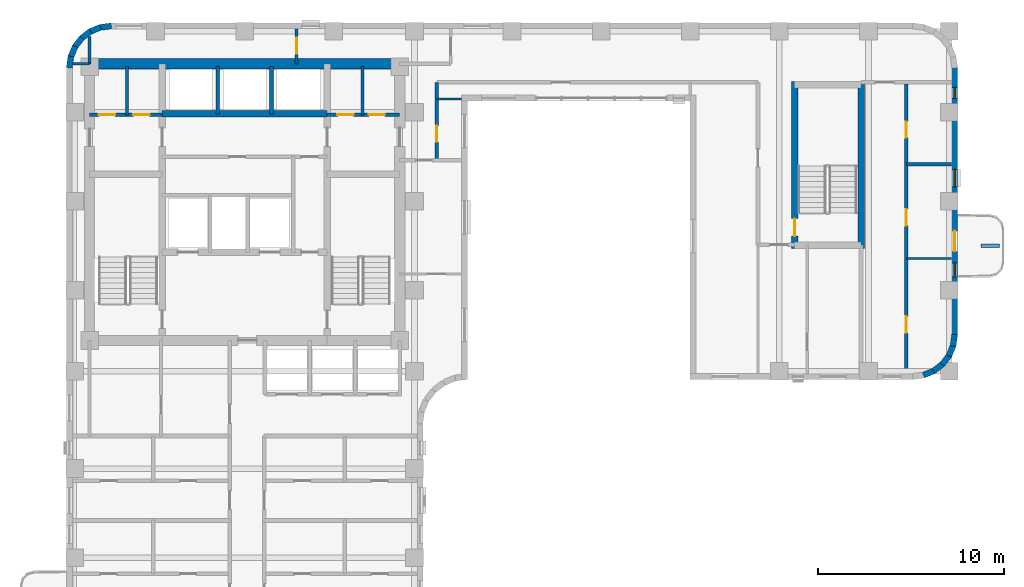
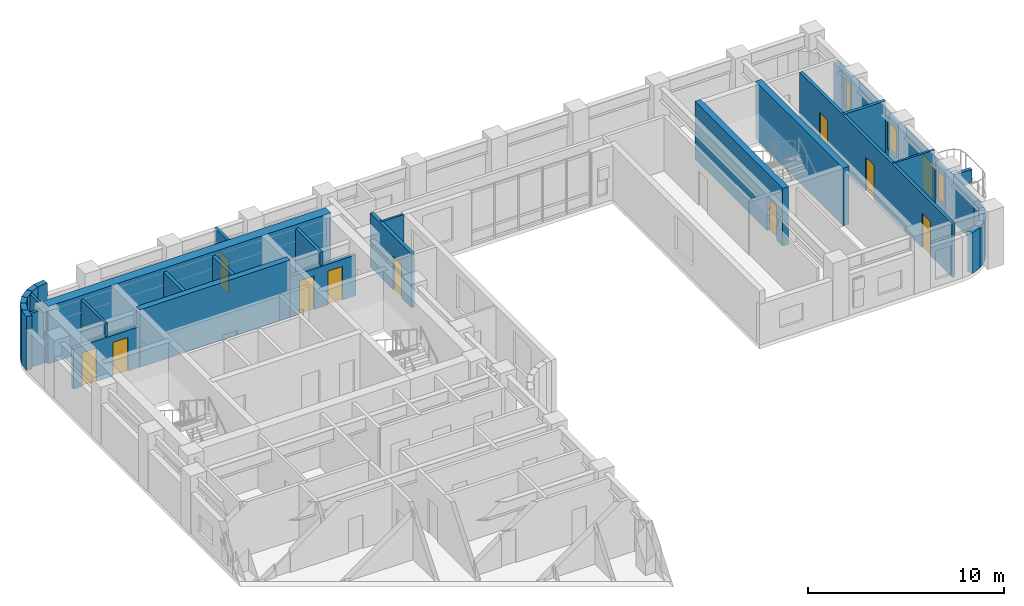
# One storey, part 7 of 11: 31 walls, 11 doors, 3 windows, 14 openings.
"""IFC4 building model written with IfcOpenShell, lengths in metres."""

from ifc_helpers import new_model, si_unit, direction, frame, frame_2d, origin, place, context, subcontext, project, spatial, rectangle, extrude, material, layer, layer_set, type_object, element, fill, save


model = new_model("IFC4")

# Units and contexts
model_context = context("Model", 3, precision=1e-05, world=origin(), true_north=direction((0.0, 1.0)))
body_context = subcontext(model_context, "Body", "Model", "MODEL_VIEW")
ifc_project = project(units=[si_unit("LENGTHUNIT", "METRE"), si_unit("AREAUNIT", "SQUARE_METRE"), si_unit("VOLUMEUNIT", "CUBIC_METRE"), si_unit("PLANEANGLEUNIT", "RADIAN"), si_unit("MASSUNIT", "GRAM", prefix="KILO")], contexts=[model_context])

# Site, building, storey
site_placement = place(None, origin())
site = spatial("IfcSite", under=ifc_project, at=site_placement, CompositionType="ELEMENT")
building_placement = place(site_placement, origin())
building = spatial("IfcBuilding", under=site, at=building_placement, Name="Orvandelia Arch Residences", CompositionType="ELEMENT")
storey_placement = place(building_placement, frame((0.0, 0.0, 164.800048828125)))
storey = spatial("IfcBuildingStorey", under=building, at=storey_placement, Name="L43", CompositionType="ELEMENT", Elevation=164.800048828125)

# Wall
ifc_material_1 = material(Name="Concrete C50/60", Category="concrete")
ifc_layer_1 = layer(ifc_material_1, 0.35009765625, Name="Concrete C50/60", Category="concrete")
ifc_layer_set_1 = layer_set([ifc_layer_1], Name="Concrete C50/60")
wall_type_1 = type_object("IfcWallType", Name="WL-CORE-350", PredefinedType="SHEAR", material=ifc_layer_set_1)
wall_1_placement = place(storey_placement, frame((9.9599609375, 43.10009765625, 0.0), z_axis=(0.0, 0.0, 1.0), x_axis=(1.0, 0.0, 0.0)))
element("IfcWall", 1, at=wall_1_placement, inside=storey, type_object=wall_type_1, Name="Core Shear Wall L43-HZ4", PredefinedType="SHEAR", context=body_context, shape_type="SweptSolid", body=[
    extrude(rectangle(XDim=8.880126953125, YDim=0.35009765625, at=frame_2d((4.43994140625, 0.0))), origin(), (0.0, 0.0, 1.0), 3.599853515625),
])

# Wall, opening, door
wall_2_placement = place(storey_placement, frame((44.02001953125, 35.864990234375, 0.0), z_axis=(0.0, 0.0, 1.0), x_axis=(0.0, 1.0, 0.0)))
wall_2 = element("IfcWall", 2, at=wall_2_placement, inside=storey, type_object=wall_type_1, Name="East Stair Core Shear Wall L43-W", PredefinedType="SHEAR", context=body_context, shape_type="SweptSolid", body=[
    extrude(rectangle(XDim=8.969970703125, YDim=0.35009765625, at=frame_2d((4.48486328125, 0.0))), origin(), (0.0, 0.0, 1.0), 3.599853515625),
])
opening_1_placement = place(wall_2_placement, frame((0.64990234375, 0.0, 0.0)))
opening_1 = element("IfcOpeningElement", 3, at=opening_1_placement, cuts=wall_2, Name="Opening D7", PredefinedType="OPENING", context=body_context, shape_type="SweptSolid", body=[
    extrude(rectangle(XDim=0.949951171875, YDim=2.10009765625, at=frame_2d((0.47509765625, 1.050048828125))), frame((0.0, 0.18505859375, 0.0), z_axis=(0.0, -1.0, 0.0), x_axis=(1.0, 0.0, 0.0)), (0.0, 0.0, 1.0), 0.3701171875),
])
ifc_material_2 = material(Name="Pressurised Stairwell Fire Door")
door_type_1 = type_object("IfcDoorType", Name="DR-STAIR-950", OperationType="NOTDEFINED", PredefinedType="DOOR", material=ifc_material_2)
door_1_placement = place(opening_1_placement, origin())
door_1 = element("IfcDoor", 4, at=door_1_placement, inside=storey, type_object=door_type_1, Name="East Stairwell ST-3 Fire Door L43", OperationType="SINGLE_SWING_LEFT", OverallHeight=2.10009765625, OverallWidth=0.949951171875, PredefinedType="DOOR", context=body_context, shape_type="SweptSolid", body=[
    extrude(rectangle(XDim=0.949951171875, YDim=2.10009765625, at=frame_2d((0.47509765625, 1.050048828125))), frame((0.0, 0.02490234375, 0.0), z_axis=(0.0, -1.0, 0.0), x_axis=(1.0, 0.0, 0.0)), (0.0, 0.0, 1.0), 0.050048828125),
])
fill(opening_1, door_1)

# Walls
wall_3_placement = place(storey_placement, frame((47.60009765625, 35.864990234375, 0.0), z_axis=(0.0, 0.0, 1.0), x_axis=(0.0, 1.0, 0.0)))
element("IfcWall", 5, at=wall_3_placement, inside=storey, type_object=wall_type_1, Name="East Stair Core Shear Wall L43-E", PredefinedType="SHEAR", context=body_context, shape_type="SweptSolid", body=[
    extrude(rectangle(XDim=8.969970703125, YDim=0.35009765625, at=frame_2d((4.48486328125, 0.0))), origin(), (0.0, 0.0, 1.0), 3.599853515625),
])
ifc_material_3 = material(Name="Concrete C60/75", Category="concrete")
ifc_layer_2 = layer(ifc_material_3, 0.550048828125, Name="Concrete C60/75", Category="concrete")
ifc_layer_set_2 = layer_set([ifc_layer_2], Name="Concrete C60/75")
wall_type_2 = type_object("IfcWallType", Name="WL-CORE-550", PredefinedType="SHEAR", material=ifc_layer_set_2)
wall_4_placement = place(storey_placement, frame((6.050048828125, 45.800048828125, 0.0), z_axis=(0.0, 0.0, 1.0), x_axis=(1.0, 0.0, 0.0)))
element("IfcWall", 6, at=wall_4_placement, inside=storey, type_object=wall_type_2, Name="Core Shear Wall L43-N", PredefinedType="SHEAR", context=body_context, shape_type="SweptSolid", body=[
    extrude(rectangle(XDim=16.699951171875, YDim=0.550048828125, at=frame_2d((8.35009765625, 0.0))), origin(), (0.0, 0.0, 1.0), 3.599853515625),
])

# Wall, opening, door
ifc_material_4 = material(Name="Fire-Rated Corridor Partition")
ifc_layer_3 = layer(ifc_material_4, 0.199951171875, Name="Fire-Rated Corridor Partition")
ifc_layer_set_3 = layer_set([ifc_layer_3], Name="Fire-Rated Corridor Partition")
wall_type_3 = type_object("IfcWallType", Name="WL-CORR-200", PredefinedType="PARTITIONING", material=ifc_layer_set_3)
wall_5_placement = place(storey_placement, frame((24.75, 40.60009765625, 0.0), z_axis=(0.0, 0.0, 1.0), x_axis=(0.0, 1.0, 0.0)))
wall_5 = element("IfcWall", 7, at=wall_5_placement, inside=storey, type_object=wall_type_3, Name="Interior Partition Wall WL-L43-ENP-LW", PredefinedType="PARTITIONING", context=body_context, shape_type="SweptSolid", body=[
    extrude(rectangle(XDim=4.199951171875, YDim=0.199951171875, at=frame_2d((2.10009765625, 0.0))), origin(), (0.0, 0.0, 1.0), 3.35986328125),
])
opening_2_placement = place(wall_5_placement, frame((1.0, 0.0, 0.0)))
opening_2 = element("IfcOpeningElement", 8, at=opening_2_placement, cuts=wall_5, Name="Opening D4", PredefinedType="OPENING", context=body_context, shape_type="SweptSolid", body=[
    extrude(rectangle(XDim=0.860107421875, YDim=2.10009765625, at=frame_2d((0.43017578125, 1.050048828125))), frame((0.0, 0.10986328125, 0.0), z_axis=(0.0, -1.0, 0.0), x_axis=(1.0, 0.0, 0.0)), (0.0, 0.0, 1.0), 0.219970703125),
])
ifc_material_5 = material(Name="Moisture-Sealed Timber Bathroom Door", Category="wood")
door_type_2 = type_object("IfcDoorType", Name="DR-WET-900", OperationType="NOTDEFINED", PredefinedType="DOOR", material=ifc_material_5)
door_2_placement = place(opening_2_placement, origin())
door_2 = element("IfcDoor", 9, at=door_2_placement, inside=storey, type_object=door_type_2, Name="DR-L43-VPWNK", OperationType="SINGLE_SWING_RIGHT", OverallHeight=2.10009765625, OverallWidth=0.860107421875, PredefinedType="DOOR", context=body_context, shape_type="SweptSolid", body=[
    extrude(rectangle(XDim=0.860107421875, YDim=2.10009765625, at=frame_2d((0.43017578125, 1.050048828125))), frame((0.0, 0.02490234375, 0.0), z_axis=(0.0, -1.0, 0.0), x_axis=(1.0, 0.0, 0.0)), (0.0, 0.0, 1.0), 0.050048828125),
])
fill(opening_2, door_2)

# Walls
ifc_material_6 = material(Name="Precast concrete C40/50", Category="concrete")
ifc_layer_4 = layer(ifc_material_6, 0.320068359375, Name="Precast concrete C40/50", Category="concrete")
ifc_layer_set_4 = layer_set([ifc_layer_4], Name="Precast concrete C40/50")
wall_type_4 = type_object("IfcWallType", Name="WL-EXT-STONE-320", PredefinedType="STANDARD", material=ifc_layer_set_4)
for number, where, z_axis, x_axis, name in (
    (10, (4.95849609375, 45.5791015625, 0.0), (0.0, 0.0, 1.0), (0.130555323746, 0.9914410257, 0.0), "Coral-Limestone Precast Facade Wall L43-001"),
    (11, (5.029541015625, 46.159912109375, 0.0), (0.0, 0.0, 1.0), (0.382650053678, 0.92389335771, 0.0), "Coral-Limestone Precast Facade Wall L43-002"),
):
    element("IfcWall", number, at=place(storey_placement, frame(where, z_axis=z_axis, x_axis=x_axis)), inside=storey, type_object=wall_type_4, Name=name, PredefinedType="STANDARD", context=body_context, shape_type="SweptSolid", body=[
        extrude(rectangle(XDim=0.62646484375, YDim=0.320068359375, at=frame_2d((0.313232421875, 0.0))), origin(), (0.0, 0.0, 1.0), 3.35986328125),
    ])
wall_6_placement = place(storey_placement, frame((5.248291015625, 46.70263671875, 0.0), z_axis=(0.0, 0.0, 1.0), x_axis=(0.608938521285, 0.7932174212, 0.0)))
element("IfcWall", 12, at=wall_6_placement, inside=storey, type_object=wall_type_4, Name="Coral-Limestone Precast Facade Wall L43-003", PredefinedType="STANDARD", context=body_context, shape_type="SweptSolid", body=[
    extrude(rectangle(XDim=0.626708984375, YDim=0.320068359375, at=frame_2d((0.3134765625, 0.0))), origin(), (0.0, 0.0, 1.0), 3.35986328125),
])
wall_7_placement = place(storey_placement, frame((5.600341796875, 47.170166015625, 0.0), z_axis=(0.0, 0.0, 1.0), x_axis=(0.793405610854, 0.608693302629, 0.0)))
element("IfcWall", 13, at=wall_7_placement, inside=storey, type_object=wall_type_4, Name="Coral-Limestone Precast Facade Wall L43-004", PredefinedType="STANDARD", context=body_context, shape_type="SweptSolid", body=[
    extrude(rectangle(XDim=0.62646484375, YDim=0.320068359375, at=frame_2d((0.313232421875, 0.0))), origin(), (0.0, 0.0, 1.0), 3.35986328125),
])
wall_8_placement = place(storey_placement, frame((6.061279296875, 47.53076171875, 0.0), z_axis=(0.0, 0.0, 1.0), x_axis=(0.923836271867, 0.382787856107, 0.0)))
element("IfcWall", 14, at=wall_8_placement, inside=storey, type_object=wall_type_4, Name="Coral-Limestone Precast Facade Wall L43-005", PredefinedType="STANDARD", context=body_context, shape_type="SweptSolid", body=[
    extrude(rectangle(XDim=0.626220703125, YDim=0.320068359375, at=frame_2d((0.31298828125, 0.0))), origin(), (0.0, 0.0, 1.0), 3.35986328125),
])
wall_9_placement = place(storey_placement, frame((6.599609375, 47.759521484375, 0.0), z_axis=(0.0, 0.0, 1.0), x_axis=(0.991447664465, 0.130504898859, 0.0)))
element("IfcWall", 15, at=wall_9_placement, inside=storey, type_object=wall_type_4, Name="Coral-Limestone Precast Facade Wall L43-006", PredefinedType="STANDARD", context=body_context, shape_type="SweptSolid", body=[
    extrude(rectangle(XDim=0.626708984375, YDim=0.320068359375, at=frame_2d((0.3134765625, 0.0))), origin(), (0.0, 0.0, 1.0), 3.35986328125),
])

# Wall, openings, door, windows
wall_10_placement = place(storey_placement, frame((52.639892578125, 45.60009765625, 0.0), z_axis=(0.0, 0.0, 1.0), x_axis=(0.0, -1.0, 0.0)))
wall_10 = element("IfcWall", 16, at=wall_10_placement, inside=storey, type_object=wall_type_4, Name="Coral-Limestone Precast Facade Wall L43-014", PredefinedType="STANDARD", context=body_context, shape_type="SweptSolid", body=[
    extrude(rectangle(XDim=14.400146484375, YDim=0.320068359375, at=frame_2d((7.2001953125, 0.0))), origin(), (0.0, 0.0, 1.0), 2.5400390625),
])
opening_3_placement = place(wall_10_placement, frame((8.800048828125, 0.0, 0.0)))
opening_3 = element("IfcOpeningElement", 17, at=opening_3_placement, cuts=wall_10, Name="Opening BD1", PredefinedType="OPENING", context=body_context, shape_type="SweptSolid", body=[
    extrude(rectangle(XDim=1.10009765625, YDim=2.14990234375, at=frame_2d((0.550048828125, 1.074951171875))), frame((0.0, 0.169921875, 0.0), z_axis=(0.0, -1.0, 0.0), x_axis=(1.0, 0.0, 0.0)), (0.0, 0.0, 1.0), 0.340087890625),
])
opening_4_placement = place(wall_10_placement, frame((10.51953125, 0.0, 0.449951171875)))
opening_4 = element("IfcOpeningElement", 18, at=opening_4_placement, cuts=wall_10, Name="Opening W11", PredefinedType="OPENING", context=body_context, shape_type="SweptSolid", body=[
    extrude(rectangle(XDim=0.75, YDim=1.800048828125, at=frame_2d((0.375, 0.89990234375))), frame((0.0, 0.169921875, 0.0), z_axis=(0.0, -1.0, 0.0), x_axis=(1.0, 0.0, 0.0)), (0.0, 0.0, 1.0), 0.340087890625),
])
opening_5_placement = place(wall_10_placement, frame((1.0625, 0.0, 0.449951171875)))
opening_5 = element("IfcOpeningElement", 19, at=opening_5_placement, cuts=wall_10, Name="Opening W12", PredefinedType="OPENING", context=body_context, shape_type="SweptSolid", body=[
    extrude(rectangle(XDim=0.60009765625, YDim=1.800048828125, at=frame_2d((0.300048828125, 0.89990234375))), frame((0.0, 0.169921875, 0.0), z_axis=(0.0, -1.0, 0.0), x_axis=(1.0, 0.0, 0.0)), (0.0, 0.0, 1.0), 0.340087890625),
])
opening_6_placement = place(wall_10_placement, frame((5.486083984375, 0.0, 0.449951171875)))
opening_6 = element("IfcOpeningElement", 20, at=opening_6_placement, cuts=wall_10, Name="Opening W4", PredefinedType="OPENING", context=body_context, shape_type="SweptSolid", body=[
    extrude(rectangle(XDim=0.949951171875, YDim=1.800048828125, at=frame_2d((0.47509765625, 0.89990234375))), frame((0.0, 0.169921875, 0.0), z_axis=(0.0, -1.0, 0.0), x_axis=(1.0, 0.0, 0.0)), (0.0, 0.0, 1.0), 0.340087890625),
])
ifc_material_7 = material(Name="Thermally Broken Aluminium Glazed Door", Category="aluminium")
door_type_3 = type_object("IfcDoorType", Name="DR-BAL-GLAZ-1100", OperationType="NOTDEFINED", PredefinedType="DOOR", material=ifc_material_7)
door_3_placement = place(opening_3_placement, origin())
door_3 = element("IfcDoor", 21, at=door_3_placement, inside=storey, type_object=door_type_3, Name="Tree Balcony Glazed Door BAL-L43-E1", OperationType="SINGLE_SWING_LEFT", OverallHeight=2.14990234375, OverallWidth=1.10009765625, PredefinedType="DOOR", context=body_context, shape_type="SweptSolid", body=[
    extrude(rectangle(XDim=1.10009765625, YDim=2.14990234375, at=frame_2d((0.550048828125, 1.074951171875))), frame((0.0, 0.02490234375, 0.0), z_axis=(0.0, -1.0, 0.0), x_axis=(1.0, 0.0, 0.0)), (0.0, 0.0, 1.0), 0.050048828125),
])
fill(opening_3, door_3)
ifc_material_8 = material(Name="Tempered Low-E Insulated Glazing", Category="glass")
window_type_1 = type_object("IfcWindowType", Name="WIN-BED-0750x1800", PartitioningType="SINGLE_PANEL", PredefinedType="WINDOW", material=ifc_material_8)
window_1_placement = place(opening_4_placement, origin())
window_1 = element("IfcWindow", 22, at=window_1_placement, inside=storey, type_object=window_type_1, Name="Recessed Punched Window L43-004", OverallHeight=1.800048828125, OverallWidth=0.75, PartitioningType="SINGLE_PANEL", PredefinedType="WINDOW", context=body_context, shape_type="SweptSolid", body=[
    extrude(rectangle(XDim=0.75, YDim=1.800048828125, at=frame_2d((0.375, 0.89990234375))), frame((0.0, 0.030029296875, 0.0), z_axis=(0.0, -1.0, 0.0), x_axis=(1.0, 0.0, 0.0)), (0.0, 0.0, 1.0), 0.06005859375),
])
fill(opening_4, window_1)
window_type_2 = type_object("IfcWindowType", Name="WIN-LAN-0600x1800", PartitioningType="SINGLE_PANEL", PredefinedType="WINDOW", material=ifc_material_8)
window_2_placement = place(opening_5_placement, origin())
window_2 = element("IfcWindow", 23, at=window_2_placement, inside=storey, type_object=window_type_2, Name="Recessed Punched Window L43-005", OverallHeight=1.800048828125, OverallWidth=0.60009765625, PartitioningType="SINGLE_PANEL", PredefinedType="WINDOW", context=body_context, shape_type="SweptSolid", body=[
    extrude(rectangle(XDim=0.60009765625, YDim=1.800048828125, at=frame_2d((0.300048828125, 0.89990234375))), frame((0.0, 0.030029296875, 0.0), z_axis=(0.0, -1.0, 0.0), x_axis=(1.0, 0.0, 0.0)), (0.0, 0.0, 1.0), 0.06005859375),
])
fill(opening_5, window_2)
window_type_3 = type_object("IfcWindowType", Name="WIN-RES-0950x1800", PartitioningType="SINGLE_PANEL", PredefinedType="WINDOW", material=ifc_material_8)
window_3_placement = place(opening_6_placement, origin())
window_3 = element("IfcWindow", 24, at=window_3_placement, inside=storey, type_object=window_type_3, Name="Recessed Punched Window L43-006", OverallHeight=1.800048828125, OverallWidth=0.949951171875, PartitioningType="SINGLE_PANEL", PredefinedType="WINDOW", context=body_context, shape_type="SweptSolid", body=[
    extrude(rectangle(XDim=0.949951171875, YDim=1.800048828125, at=frame_2d((0.47509765625, 0.89990234375))), frame((0.0, 0.030029296875, 0.0), z_axis=(0.0, -1.0, 0.0), x_axis=(1.0, 0.0, 0.0)), (0.0, 0.0, 1.0), 0.06005859375),
])
fill(opening_6, window_3)

# Walls
wall_11_placement = place(storey_placement, frame((52.641357421875, 31.220947265625, 0.0), z_axis=(0.0, 0.0, 1.0), x_axis=(-0.130504898859, -0.991447664465, 0.0)))
element("IfcWall", 25, at=wall_11_placement, inside=storey, type_object=wall_type_4, Name="Coral-Limestone Precast Facade Wall L43-015", PredefinedType="STANDARD", context=body_context, shape_type="SweptSolid", body=[
    extrude(rectangle(XDim=0.626708984375, YDim=0.320068359375, at=frame_2d((0.3134765625, 0.0))), origin(), (0.0, 0.0, 1.0), 2.5400390625),
])
wall_12_placement = place(storey_placement, frame((52.5703125, 30.639892578125, 0.0), z_axis=(0.0, 0.0, 1.0), x_axis=(-0.382455093999, -0.923974080304, 0.0)))
element("IfcWall", 26, at=wall_12_placement, inside=storey, type_object=wall_type_4, Name="Coral-Limestone Precast Facade Wall L43-016", PredefinedType="STANDARD", context=body_context, shape_type="SweptSolid", body=[
    extrude(rectangle(XDim=0.626220703125, YDim=0.320068359375, at=frame_2d((0.31298828125, 0.0))), origin(), (0.0, 0.0, 1.0), 2.5400390625),
])
wall_13_placement = place(storey_placement, frame((52.3515625, 30.097412109375, 0.0), z_axis=(0.0, 0.0, 1.0), x_axis=(-0.608693302629, -0.793405610854, 0.0)))
element("IfcWall", 27, at=wall_13_placement, inside=storey, type_object=wall_type_4, Name="Coral-Limestone Precast Facade Wall L43-017", PredefinedType="STANDARD", context=body_context, shape_type="SweptSolid", body=[
    extrude(rectangle(XDim=0.62646484375, YDim=0.320068359375, at=frame_2d((0.313232421875, 0.0))), origin(), (0.0, 0.0, 1.0), 2.5400390625),
])
wall_14_placement = place(storey_placement, frame((51.999755859375, 29.6298828125, 0.0), z_axis=(0.0, 0.0, 1.0), x_axis=(-0.7932174212, -0.608938521285, 0.0)))
element("IfcWall", 28, at=wall_14_placement, inside=storey, type_object=wall_type_4, Name="Coral-Limestone Precast Facade Wall L43-018", PredefinedType="STANDARD", context=body_context, shape_type="SweptSolid", body=[
    extrude(rectangle(XDim=0.626708984375, YDim=0.320068359375, at=frame_2d((0.3134765625, 0.0))), origin(), (0.0, 0.0, 1.0), 2.5400390625),
])
wall_15_placement = place(storey_placement, frame((51.538818359375, 29.269287109375, 0.0), z_axis=(0.0, 0.0, 1.0), x_axis=(-0.92389335771, -0.382650053678, 0.0)))
element("IfcWall", 29, at=wall_15_placement, inside=storey, type_object=wall_type_4, Name="Coral-Limestone Precast Facade Wall L43-019", PredefinedType="STANDARD", context=body_context, shape_type="SweptSolid", body=[
    extrude(rectangle(XDim=0.62646484375, YDim=0.320068359375, at=frame_2d((0.313232421875, 0.0))), origin(), (0.0, 0.0, 1.0), 2.5400390625),
])
ifc_material_9 = material(Name="Lightweight Gypsum Stud Partition")
ifc_layer_5 = layer(ifc_material_9, 0.1201171875, Name="Lightweight Gypsum Stud Partition")
ifc_layer_set_5 = layer_set([ifc_layer_5], Name="Lightweight Gypsum Stud Partition")
wall_type_5 = type_object("IfcWallType", Name="WL-PART-120", PredefinedType="PARTITIONING", material=ifc_layer_set_5)
wall_16_placement = place(storey_placement, frame((24.75, 43.89990234375, 0.0), z_axis=(0.0, 0.0, 1.0), x_axis=(1.0, 0.0, 0.0)))
element("IfcWall", 30, at=wall_16_placement, inside=storey, type_object=wall_type_5, Name="Interior Partition Wall WL-L43-VPWNK-N", PredefinedType="PARTITIONING", context=body_context, shape_type="SweptSolid", body=[
    extrude(rectangle(XDim=1.330078125, YDim=0.1201171875, at=frame_2d((0.6650390625, 0.0))), origin(), (0.0, 0.0, 1.0), 3.35986328125),
])
wall_17_placement = place(storey_placement, frame((50.04296875, 35.31591796875, 0.0), z_axis=(0.0, 0.0, 1.0), x_axis=(1.0, 0.0, 0.0)))
element("IfcWall", 31, at=wall_17_placement, inside=storey, type_object=wall_type_5, Name="Interior Partition Wall WL-L43-U07-H1", PredefinedType="PARTITIONING", context=body_context, shape_type="SweptSolid", body=[
    extrude(rectangle(XDim=2.43701171875, YDim=0.1201171875, at=frame_2d((1.218505859375, 0.0))), origin(), (0.0, 0.0, 1.0), 3.35986328125),
])
ifc_material_10 = material(Name="Acoustic Gypsum Stud Partition")
ifc_layer_6 = layer(ifc_material_10, 0.14990234375, Name="Acoustic Gypsum Stud Partition")
ifc_layer_set_6 = layer_set([ifc_layer_6], Name="Acoustic Gypsum Stud Partition")
wall_type_6 = type_object("IfcWallType", Name="WL-PART-150", PredefinedType="PARTITIONING", material=ifc_layer_set_6)
wall_18_placement = place(storey_placement, frame((8.06005859375, 43.050048828125, 0.0), z_axis=(0.0, 0.0, 1.0), x_axis=(0.0, 1.0, 0.0)))
element("IfcWall", 32, at=wall_18_placement, inside=storey, type_object=wall_type_6, Name="Interior Partition Wall WL-L43-CRELC-M", PredefinedType="PARTITIONING", context=body_context, shape_type="SweptSolid", body=[
    extrude(rectangle(XDim=2.599853515625, YDim=0.14990234375, at=frame_2d((1.2998046875, 0.0))), origin(), (0.0, 0.0, 1.0), 3.35986328125),
])
wall_19_placement = place(storey_placement, frame((5.159912109375, 45.800048828125, 0.0), z_axis=(0.0, 0.0, 1.0), x_axis=(1.0, 0.0, 0.0)))
element("IfcWall", 33, at=wall_19_placement, inside=storey, type_object=wall_type_6, Name="Interior Partition Wall WL-L43-WF-N", PredefinedType="PARTITIONING", context=body_context, shape_type="SweptSolid", body=[
    extrude(rectangle(XDim=0.89013671875, YDim=0.14990234375, at=frame_2d((0.445068359375, 0.0))), origin(), (0.0, 0.0, 1.0), 3.35986328125),
])
wall_20_placement = place(storey_placement, frame((6.050048828125, 45.800048828125, 0.0), z_axis=(0.0, 0.0, 1.0), x_axis=(0.0, 1.0, 0.0)))
element("IfcWall", 34, at=wall_20_placement, inside=storey, type_object=wall_type_6, Name="Interior Partition Wall WL-L43-NC-W6", PredefinedType="PARTITIONING", context=body_context, shape_type="SweptSolid", body=[
    extrude(rectangle(XDim=1.4599609375, YDim=0.14990234375, at=frame_2d((0.72998046875, 0.0))), origin(), (0.0, 0.0, 1.0), 3.35986328125),
])

# Wall, opening, door
wall_21_placement = place(storey_placement, frame((17.199951171875, 45.800048828125, 0.0), z_axis=(0.0, 0.0, 1.0), x_axis=(0.0, 1.0, 0.0)))
wall_21 = element("IfcWall", 35, at=wall_21_placement, inside=storey, type_object=wall_type_6, Name="Interior Partition Wall WL-L43-NC-M", PredefinedType="PARTITIONING", context=body_context, shape_type="SweptSolid", body=[
    extrude(rectangle(XDim=1.8798828125, YDim=0.14990234375, at=frame_2d((0.93994140625, 0.0))), origin(), (0.0, 0.0, 1.0), 3.35986328125),
])
opening_7_placement = place(wall_21_placement, frame((0.550048828125, 0.0, 0.0)))
opening_7 = element("IfcOpeningElement", 36, at=opening_7_placement, cuts=wall_21, Name="Opening D4", PredefinedType="OPENING", context=body_context, shape_type="SweptSolid", body=[
    extrude(rectangle(XDim=0.860107421875, YDim=2.10009765625, at=frame_2d((0.43017578125, 1.050048828125))), frame((0.0, 0.0849609375, 0.0), z_axis=(0.0, -1.0, 0.0), x_axis=(1.0, 0.0, 0.0)), (0.0, 0.0, 1.0), 0.169921875),
])
door_4_placement = place(opening_7_placement, origin())
door_4 = element("IfcDoor", 37, at=door_4_placement, inside=storey, type_object=door_type_2, Name="DR-L43-NCS1", OperationType="SINGLE_SWING_LEFT", OverallHeight=2.10009765625, OverallWidth=0.860107421875, PredefinedType="DOOR", context=body_context, shape_type="SweptSolid", body=[
    extrude(rectangle(XDim=0.860107421875, YDim=2.10009765625, at=frame_2d((0.43017578125, 1.050048828125))), frame((0.0, 0.02490234375, 0.0), z_axis=(0.0, -1.0, 0.0), x_axis=(1.0, 0.0, 0.0)), (0.0, 0.0, 1.0), 0.050048828125),
])
fill(opening_7, door_4)

# Wall
ifc_layer_7 = layer(ifc_material_6, 0.199951171875, Name="Precast concrete C40/50", Category="concrete")
ifc_layer_set_7 = layer_set([ifc_layer_7], Name="Precast concrete C40/50")
wall_type_7 = type_object("IfcWallType", Name="WL-PLANTER-200", PredefinedType="MOVABLE", material=ifc_layer_set_7)
wall_22_placement = place(storey_placement, frame((54.050048828125, 36.0, 0.0), z_axis=(0.0, 0.0, 1.0), x_axis=(1.0, 0.0, 0.0)))
element("IfcWall", 38, at=wall_22_placement, inside=storey, type_object=wall_type_7, Name="Balcony Precast Tree Planter BAL-L43-E1", PredefinedType="MOVABLE", context=body_context, shape_type="SweptSolid", body=[
    extrude(rectangle(XDim=1.0, YDim=0.199951171875, at=frame_2d((0.5, 0.0))), origin(), (0.0, 0.0, 1.0), 0.849853515625),
])

# Wall, openings, doors
ifc_material_11 = material(Name="Fire-Rated Shaft Enclosure Wall")
ifc_layer_8 = layer(ifc_material_11, 0.199951171875, Name="Fire-Rated Shaft Enclosure Wall")
ifc_layer_set_8 = layer_set([ifc_layer_8], Name="Fire-Rated Shaft Enclosure Wall")
wall_type_8 = type_object("IfcWallType", Name="WL-SHAFT-200", PredefinedType="POLYGONAL", material=ifc_layer_set_8)
wall_23_placement = place(storey_placement, frame((18.840087890625, 43.050048828125, 0.0), z_axis=(0.0, 0.0, 1.0), x_axis=(1.0, 0.0, 0.0)))
wall_23 = element("IfcWall", 39, at=wall_23_placement, inside=storey, type_object=wall_type_8, Name="Interior Partition Wall WL-L43-HLE-N", PredefinedType="POLYGONAL", context=body_context, shape_type="SweptSolid", body=[
    extrude(rectangle(XDim=3.909912109375, YDim=0.199951171875, at=frame_2d((1.955078125, 0.0))), origin(), (0.0, 0.0, 1.0), 2.5400390625),
])
opening_8_placement = place(wall_23_placement, frame((0.550048828125, 0.0, 0.0)))
opening_8 = element("IfcOpeningElement", 40, at=opening_8_placement, cuts=wall_23, Name="Opening D5", PredefinedType="OPENING", context=body_context, shape_type="SweptSolid", body=[
    extrude(rectangle(XDim=0.8798828125, YDim=2.10009765625, at=frame_2d((0.43994140625, 1.050048828125))), frame((0.0, 0.10986328125, 0.0), z_axis=(0.0, -1.0, 0.0), x_axis=(1.0, 0.0, 0.0)), (0.0, 0.0, 1.0), 0.219970703125),
])
opening_9_placement = place(wall_23_placement, frame((2.25, 0.0, 0.0)))
opening_9 = element("IfcOpeningElement", 41, at=opening_9_placement, cuts=wall_23, Name="Opening D4", PredefinedType="OPENING", context=body_context, shape_type="SweptSolid", body=[
    extrude(rectangle(XDim=0.860107421875, YDim=2.10009765625, at=frame_2d((0.43017578125, 1.050048828125))), frame((0.0, 0.10986328125, 0.0), z_axis=(0.0, -1.0, 0.0), x_axis=(1.0, 0.0, 0.0)), (0.0, 0.0, 1.0), 0.219970703125),
])
ifc_material_12 = material(Name="Painted Galvanised Steel Service Door", Category="steel")
door_type_4 = type_object("IfcDoorType", Name="DR-SRV-880", OperationType="NOTDEFINED", PredefinedType="DOOR", material=ifc_material_12)
door_5_placement = place(opening_8_placement, origin())
door_5 = element("IfcDoor", 42, at=door_5_placement, inside=storey, type_object=door_type_4, Name="DR-L43-CSB1", OperationType="SINGLE_SWING_LEFT", OverallHeight=2.10009765625, OverallWidth=0.8798828125, PredefinedType="DOOR", context=body_context, shape_type="SweptSolid", body=[
    extrude(rectangle(XDim=0.8798828125, YDim=2.10009765625, at=frame_2d((0.43994140625, 1.050048828125))), frame((0.0, 0.02490234375, 0.0), z_axis=(0.0, -1.0, 0.0), x_axis=(1.0, 0.0, 0.0)), (0.0, 0.0, 1.0), 0.050048828125),
])
fill(opening_8, door_5)
door_6_placement = place(opening_9_placement, origin())
door_6 = element("IfcDoor", 43, at=door_6_placement, inside=storey, type_object=door_type_2, Name="DR-L43-CSB2", OperationType="SINGLE_SWING_RIGHT", OverallHeight=2.10009765625, OverallWidth=0.860107421875, PredefinedType="DOOR", context=body_context, shape_type="SweptSolid", body=[
    extrude(rectangle(XDim=0.860107421875, YDim=2.10009765625, at=frame_2d((0.43017578125, 1.050048828125))), frame((0.0, 0.02490234375, 0.0), z_axis=(0.0, -1.0, 0.0), x_axis=(1.0, 0.0, 0.0)), (0.0, 0.0, 1.0), 0.050048828125),
])
fill(opening_9, door_6)

wall_24_placement = place(storey_placement, frame((6.050048828125, 43.050048828125, 0.0), z_axis=(0.0, 0.0, 1.0), x_axis=(1.0, 0.0, 0.0)))
wall_24 = element("IfcWall", 44, at=wall_24_placement, inside=storey, type_object=wall_type_8, Name="Interior Partition Wall WL-L43-HLW-N", PredefinedType="POLYGONAL", context=body_context, shape_type="SweptSolid", body=[
    extrude(rectangle(XDim=3.909912109375, YDim=0.199951171875, at=frame_2d((1.955078125, 0.0))), origin(), (0.0, 0.0, 1.0), 2.5400390625),
])
opening_10_placement = place(wall_24_placement, frame((0.5, 0.0, 0.0)))
opening_10 = element("IfcOpeningElement", 45, at=opening_10_placement, cuts=wall_24, Name="Opening D5", PredefinedType="OPENING", context=body_context, shape_type="SweptSolid", body=[
    extrude(rectangle(XDim=0.8798828125, YDim=2.10009765625, at=frame_2d((0.43994140625, 1.050048828125))), frame((0.0, 0.10986328125, 0.0), z_axis=(0.0, -1.0, 0.0), x_axis=(1.0, 0.0, 0.0)), (0.0, 0.0, 1.0), 0.219970703125),
])
opening_11_placement = place(wall_24_placement, frame((2.35009765625, 0.0, 0.0)))
opening_11 = element("IfcOpeningElement", 46, at=opening_11_placement, cuts=wall_24, Name="Opening D5", PredefinedType="OPENING", context=body_context, shape_type="SweptSolid", body=[
    extrude(rectangle(XDim=0.8798828125, YDim=2.10009765625, at=frame_2d((0.43994140625, 1.050048828125))), frame((0.0, 0.10986328125, 0.0), z_axis=(0.0, -1.0, 0.0), x_axis=(1.0, 0.0, 0.0)), (0.0, 0.0, 1.0), 0.219970703125),
])
door_7_placement = place(opening_10_placement, origin())
door_7 = element("IfcDoor", 47, at=door_7_placement, inside=storey, type_object=door_type_4, Name="DR-L43-CRELC1", OperationType="SINGLE_SWING_LEFT", OverallHeight=2.10009765625, OverallWidth=0.8798828125, PredefinedType="DOOR", context=body_context, shape_type="SweptSolid", body=[
    extrude(rectangle(XDim=0.8798828125, YDim=2.10009765625, at=frame_2d((0.43994140625, 1.050048828125))), frame((0.0, 0.02490234375, 0.0), z_axis=(0.0, -1.0, 0.0), x_axis=(1.0, 0.0, 0.0)), (0.0, 0.0, 1.0), 0.050048828125),
])
fill(opening_10, door_7)
door_8_placement = place(opening_11_placement, origin())
door_8 = element("IfcDoor", 48, at=door_8_placement, inside=storey, type_object=door_type_4, Name="DR-L43-CRELC2", OperationType="SINGLE_SWING_RIGHT", OverallHeight=2.10009765625, OverallWidth=0.8798828125, PredefinedType="DOOR", context=body_context, shape_type="SweptSolid", body=[
    extrude(rectangle(XDim=0.8798828125, YDim=2.10009765625, at=frame_2d((0.43994140625, 1.050048828125))), frame((0.0, 0.02490234375, 0.0), z_axis=(0.0, -1.0, 0.0), x_axis=(1.0, 0.0, 0.0)), (0.0, 0.0, 1.0), 0.050048828125),
])
fill(opening_11, door_8)

# Walls
for number, where, z_axis, x_axis, name in (
    (49, (12.949951171875, 43.10009765625, 0.0), (0.0, 0.0, 1.0), (0.0, 1.0, 0.0), "Interior Partition Wall WL-L43-PHD1"),
    (50, (15.85009765625, 43.10009765625, 0.0), (0.0, 0.0, 1.0), (0.0, 1.0, 0.0), "Interior Partition Wall WL-L43-PHD2"),
):
    element("IfcWall", number, at=place(storey_placement, frame(where, z_axis=z_axis, x_axis=x_axis)), inside=storey, type_object=wall_type_8, Name=name, PredefinedType="POLYGONAL", context=body_context, shape_type="SweptSolid", body=[
        extrude(rectangle(XDim=2.5498046875, YDim=0.199951171875, at=frame_2d((1.27490234375, 0.0))), origin(), (0.0, 0.0, 1.0), 3.35986328125),
    ])
ifc_material_13 = material(Name="Moisture-Resistant Plumbing Wall")
ifc_layer_9 = layer(ifc_material_13, 0.179931640625, Name="Moisture-Resistant Plumbing Wall")
ifc_layer_set_9 = layer_set([ifc_layer_9], Name="Moisture-Resistant Plumbing Wall")
wall_type_9 = type_object("IfcWallType", Name="WL-WET-180", PredefinedType="PLUMBINGWALL", material=ifc_layer_set_9)
wall_25_placement = place(storey_placement, frame((20.75, 43.050048828125, 0.0), z_axis=(0.0, 0.0, 1.0), x_axis=(0.0, 1.0, 0.0)))
element("IfcWall", 51, at=wall_25_placement, inside=storey, type_object=wall_type_9, Name="Interior Partition Wall WL-L43-CSB-1", PredefinedType="PLUMBINGWALL", context=body_context, shape_type="SweptSolid", body=[
    extrude(rectangle(XDim=2.599853515625, YDim=0.179931640625, at=frame_2d((1.2998046875, 0.0))), origin(), (0.0, 0.0, 1.0), 3.35986328125),
])

# Wall, openings, doors
wall_26_placement = place(storey_placement, frame((50.04296875, 29.1201171875, 0.0), z_axis=(0.0, 0.0, 1.0), x_axis=(0.0, 1.0, 0.0)))
wall_26 = element("IfcWall", 52, at=wall_26_placement, inside=storey, type_object=wall_type_9, Name="Interior Partition Wall WL-L43-U07-VT", PredefinedType="PLUMBINGWALL", context=body_context, shape_type="SweptSolid", body=[
    extrude(rectangle(XDim=15.579833984375, YDim=0.179931640625, at=frame_2d((7.7900390625, 0.0))), origin(), (0.0, 0.0, 1.0), 3.35986328125),
])
opening_12_placement = place(wall_26_placement, frame((2.1826171875, 0.0, 0.0)))
opening_12 = element("IfcOpeningElement", 53, at=opening_12_placement, cuts=wall_26, Name="Opening D3", PredefinedType="OPENING", context=body_context, shape_type="SweptSolid", body=[
    extrude(rectangle(XDim=0.89990234375, YDim=2.14990234375, at=frame_2d((0.449951171875, 1.074951171875))), frame((0.0, 0.10009765625, 0.0), z_axis=(0.0, -1.0, 0.0), x_axis=(1.0, 0.0, 0.0)), (0.0, 0.0, 1.0), 0.199951171875),
])
opening_13_placement = place(wall_26_placement, frame((7.958740234375, 0.0, 0.0)))
opening_13 = element("IfcOpeningElement", 54, at=opening_13_placement, cuts=wall_26, Name="Opening D3", PredefinedType="OPENING", context=body_context, shape_type="SweptSolid", body=[
    extrude(rectangle(XDim=0.89990234375, YDim=2.14990234375, at=frame_2d((0.449951171875, 1.074951171875))), frame((0.0, 0.10009765625, 0.0), z_axis=(0.0, -1.0, 0.0), x_axis=(1.0, 0.0, 0.0)), (0.0, 0.0, 1.0), 0.199951171875),
])
opening_14_placement = place(wall_26_placement, frame((12.710693359375, 0.0, 0.0)))
opening_14 = element("IfcOpeningElement", 55, at=opening_14_placement, cuts=wall_26, Name="Opening D4", PredefinedType="OPENING", context=body_context, shape_type="SweptSolid", body=[
    extrude(rectangle(XDim=0.860107421875, YDim=2.10009765625, at=frame_2d((0.43017578125, 1.050048828125))), frame((0.0, 0.10009765625, 0.0), z_axis=(0.0, -1.0, 0.0), x_axis=(1.0, 0.0, 0.0)), (0.0, 0.0, 1.0), 0.199951171875),
])
ifc_material_14 = material(Name="Engineered Timber Flush Door", Category="wood")
door_type_5 = type_object("IfcDoorType", Name="DR-INT-900", OperationType="NOTDEFINED", PredefinedType="DOOR", material=ifc_material_14)
door_9_placement = place(opening_12_placement, origin())
door_9 = element("IfcDoor", 56, at=door_9_placement, inside=storey, type_object=door_type_5, Name="DR-L43-U07-BD1", OperationType="SINGLE_SWING_LEFT", OverallHeight=2.14990234375, OverallWidth=0.89990234375, PredefinedType="DOOR", context=body_context, shape_type="SweptSolid", body=[
    extrude(rectangle(XDim=0.89990234375, YDim=2.14990234375, at=frame_2d((0.449951171875, 1.074951171875))), frame((0.0, 0.02490234375, 0.0), z_axis=(0.0, -1.0, 0.0), x_axis=(1.0, 0.0, 0.0)), (0.0, 0.0, 1.0), 0.050048828125),
])
fill(opening_12, door_9)
door_10_placement = place(opening_13_placement, origin())
door_10 = element("IfcDoor", 57, at=door_10_placement, inside=storey, type_object=door_type_5, Name="DR-L43-U07-KIT", OperationType="SINGLE_SWING_RIGHT", OverallHeight=2.14990234375, OverallWidth=0.89990234375, PredefinedType="DOOR", context=body_context, shape_type="SweptSolid", body=[
    extrude(rectangle(XDim=0.89990234375, YDim=2.14990234375, at=frame_2d((0.449951171875, 1.074951171875))), frame((0.0, 0.02490234375, 0.0), z_axis=(0.0, -1.0, 0.0), x_axis=(1.0, 0.0, 0.0)), (0.0, 0.0, 1.0), 0.050048828125),
])
fill(opening_13, door_10)
door_11_placement = place(opening_14_placement, origin())
door_11 = element("IfcDoor", 58, at=door_11_placement, inside=storey, type_object=door_type_2, Name="DR-L43-U07-BTH", OperationType="SINGLE_SWING_LEFT", OverallHeight=2.10009765625, OverallWidth=0.860107421875, PredefinedType="DOOR", context=body_context, shape_type="SweptSolid", body=[
    extrude(rectangle(XDim=0.860107421875, YDim=2.10009765625, at=frame_2d((0.43017578125, 1.050048828125))), frame((0.0, 0.02490234375, 0.0), z_axis=(0.0, -1.0, 0.0), x_axis=(1.0, 0.0, 0.0)), (0.0, 0.0, 1.0), 0.050048828125),
])
fill(opening_14, door_11)

# Wall
wall_27_placement = place(storey_placement, frame((50.04296875, 40.383056640625, 0.0), z_axis=(0.0, 0.0, 1.0), x_axis=(1.0, 0.0, 0.0)))
element("IfcWall", 59, at=wall_27_placement, inside=storey, type_object=wall_type_9, Name="Interior Partition Wall WL-L43-U07-H2", PredefinedType="PLUMBINGWALL", context=body_context, shape_type="SweptSolid", body=[
    extrude(rectangle(XDim=2.43701171875, YDim=0.179931640625, at=frame_2d((1.218505859375, 0.0))), origin(), (0.0, 0.0, 1.0), 3.35986328125),
])

save(model, "model.ifc")
